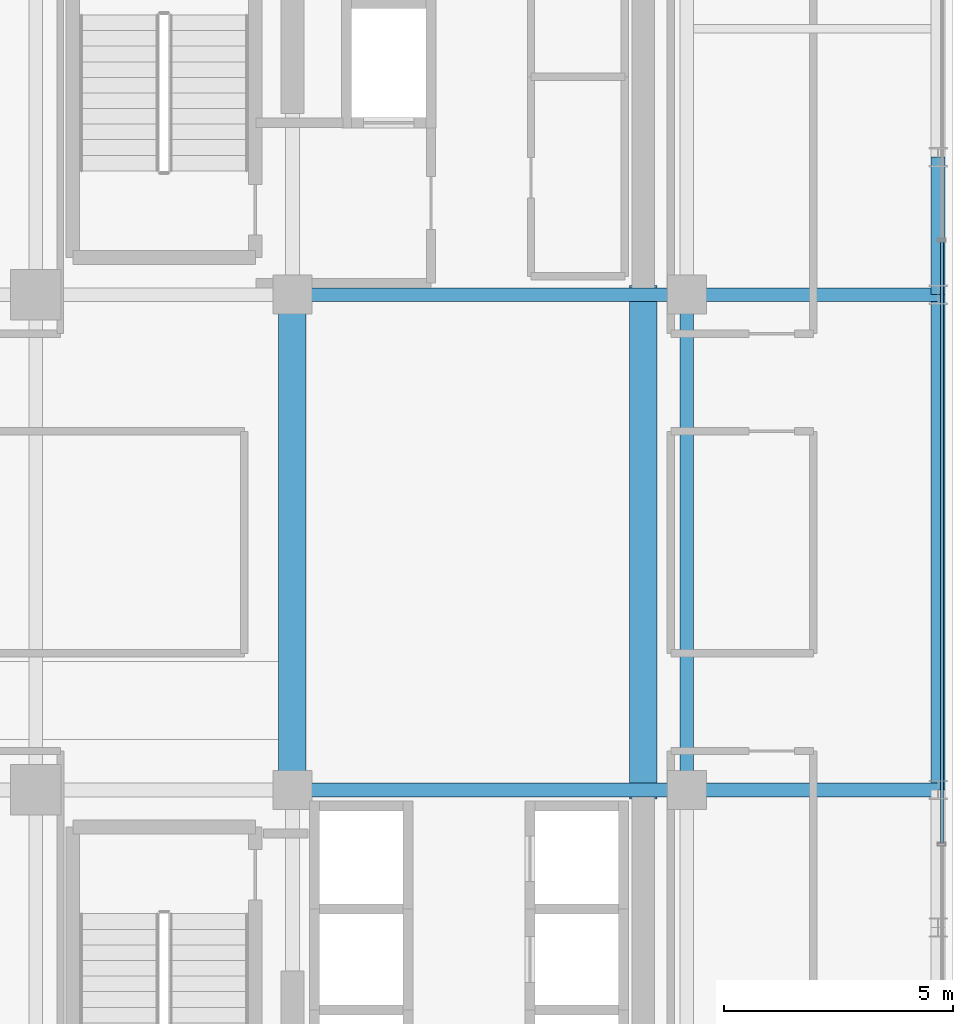
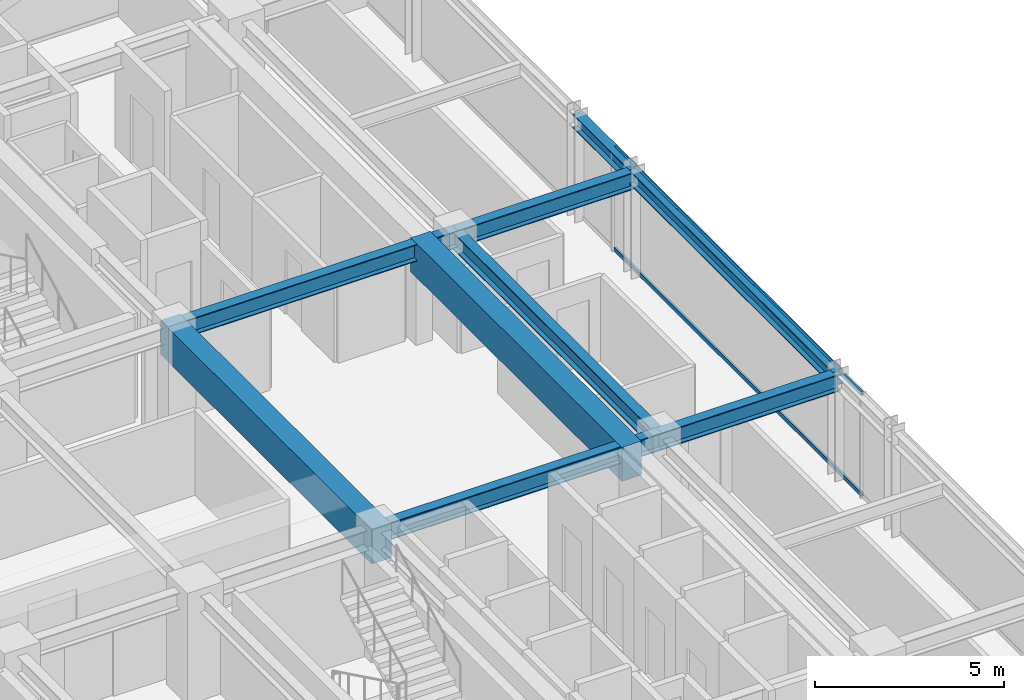
# One storey, part 13 of 32: 9 beams, 2 members, 1 element without a shape of its own.
"""IFC4 building model written with IfcOpenShell, lengths in metres."""

import ifcopenshell
import ifcopenshell.guid

model = None  # the IFC model being written
_history = None  # IfcOwnerHistory: only IFC2X3 demands one
_inside = {}  # id of a spatial element -> (the spatial element, [elements in it])
_under = {}  # id of a project, library or spatial element -> (it, [spatial elements below it])
_declared = {}  # id of a project -> (the project, [libraries it declares])
_typed = {}  # id of a type object -> (the type object, [elements of that type])
_made_of = {}  # id of a material, layer set ... -> (it, [elements and type objects made of it])


def new_model(schema):
    """Start an empty IFC model of exactly this schema.

    Asked for "IFC4X3", IfcOpenShell would pick the latest addendum, in which some entities
    have other attributes; the version numbers below select the first issue.
    IFC2X3 requires an IfcOwnerHistory on every rooted entity: one is made here for all.
    """
    global model, _history
    if schema == "IFC4X3":
        model = ifcopenshell.file(schema_version=(4, 3, 0, 0))
    else:
        model = ifcopenshell.file(schema=schema)
    _inside.clear()
    _under.clear()
    _declared.clear()
    _typed.clear()
    _made_of.clear()
    _history = None
    if model.schema == "IFC2X3":
        org = make("IfcOrganization", Name="unknown")
        user = make(
            "IfcPersonAndOrganization",
            ThePerson=make("IfcPerson", FamilyName="unknown"),
            TheOrganization=org,
        )
        app = make(
            "IfcApplication",
            ApplicationDeveloper=org,
            Version="unknown",
            ApplicationFullName="unknown",
            ApplicationIdentifier="unknown",
        )
        _history = make(
            "IfcOwnerHistory",
            OwningUser=user,
            OwningApplication=app,
            ChangeAction="ADDED",
            CreationDate=0,
        )
    return model


def make(cls, **values):
    """One entity of the class cls with the attributes given. An attribute that is None is left unset."""
    return model.create_entity(
        cls, **{name: value for name, value in values.items() if value is not None}
    )


def rooted(cls, **values):
    """An entity with a GlobalId (a new one), such as an element, a storey or a relation."""
    return make(cls, GlobalId=ifcopenshell.guid.new(), OwnerHistory=_history, **values)


def si_unit(unit_type, name, prefix=None):
    """IfcSIUnit, for example si_unit("LENGTHUNIT", "METRE", prefix="MILLI")."""
    return make("IfcSIUnit", UnitType=unit_type, Prefix=prefix, Name=name)


def assignment(units):
    """IfcUnitAssignment: the units of a project."""
    return None if units is None else make("IfcUnitAssignment", Units=units)


def point(xyz):
    """IfcCartesianPoint."""
    return None if xyz is None else make("IfcCartesianPoint", Coordinates=xyz)


def direction(xyz):
    """IfcDirection."""
    return None if xyz is None else make("IfcDirection", DirectionRatios=xyz)


def frame(location, z_axis=None, x_axis=None):
    """IfcAxis2Placement3D, a coordinate frame: its origin and axes. An axis left out is left unset."""
    return make(
        "IfcAxis2Placement3D",
        Location=point(location),
        Axis=direction(z_axis),
        RefDirection=direction(x_axis),
    )


def frame_2d(location, x_axis=None):
    """IfcAxis2Placement2D, a coordinate frame in the plane: its origin and x axis."""
    return make(
        "IfcAxis2Placement2D", Location=point(location), RefDirection=direction(x_axis)
    )


def origin():
    """The frame at (0, 0, 0) with its axes left unset."""
    return frame((0.0, 0.0, 0.0))


def origin_2d():
    """The frame at (0, 0) in the plane with its x axis left unset."""
    return frame_2d((0.0, 0.0))


def place(relative_to, where):
    """IfcLocalPlacement: puts the frame where relative to a parent placement (None: the world)."""
    return make(
        "IfcLocalPlacement", PlacementRelTo=relative_to, RelativePlacement=where
    )


def context(
    kind, dimensions, precision=None, world=None, true_north=None, identifier=None
):
    """IfcGeometricRepresentationContext, for example the 3D "Model" context."""
    return make(
        "IfcGeometricRepresentationContext",
        ContextIdentifier=identifier,
        ContextType=kind,
        CoordinateSpaceDimension=dimensions,
        Precision=precision,
        WorldCoordinateSystem=world,
        TrueNorth=true_north,
    )


def subcontext(parent, identifier, kind, view, scale=None):
    """IfcGeometricRepresentationSubContext, for example "Body" below "Model"."""
    return make(
        "IfcGeometricRepresentationSubContext",
        ContextIdentifier=identifier,
        ContextType=kind,
        ParentContext=parent,
        TargetScale=scale,
        TargetView=view,
    )


def project(units=None, contexts=None):
    """IfcProject with its units and contexts."""
    return rooted(
        "IfcProject",
        Name="project",
        RepresentationContexts=contexts,
        UnitsInContext=assignment(units),
    )


def spatial(cls, under=None, at=None, **own):
    """A site, building, storey or space (cls), placed at a placement, below another one or the project."""
    s = rooted(cls, ObjectPlacement=at, **own)
    if under is not None:
        _under.setdefault(under.id(), (under, []))[1].append(s)
    return s


def profile(cls, at=None, kind="AREA", **sizes):
    """A parametric profile (cls). Its sizes go by their IFC names, for example OverallWidth=200.0."""
    return make(cls, ProfileType=kind, Position=at, **sizes)


def rectangle(**sizes):
    """IfcRectangleProfileDef."""
    return profile("IfcRectangleProfileDef", **sizes)


def hollow_rectangle(**sizes):
    """IfcRectangleHollowProfileDef."""
    return profile("IfcRectangleHollowProfileDef", **sizes)


def i_section(**sizes):
    """IfcIShapeProfileDef."""
    return profile("IfcIShapeProfileDef", **sizes)


def extrude(swept, where, along, depth):
    """IfcExtrudedAreaSolid: the profile swept, set in the frame where, extruded along a direction by depth."""
    return make(
        "IfcExtrudedAreaSolid",
        SweptArea=swept,
        Position=where,
        ExtrudedDirection=direction(along),
        Depth=depth,
    )


def shape(context_of_items, identifier, shape_type, items):
    """IfcShapeRepresentation: the items that make up one representation, for example the "Body"."""
    return make(
        "IfcShapeRepresentation",
        ContextOfItems=context_of_items,
        RepresentationIdentifier=identifier,
        RepresentationType=shape_type,
        Items=items,
    )


def source(mapping_origin, context_of_items, identifier, shape_type, items):
    """IfcRepresentationMap: a shape defined once, which mapped items show again and again."""
    return make(
        "IfcRepresentationMap",
        MappingOrigin=mapping_origin,
        MappedRepresentation=shape(context_of_items, identifier, shape_type, items),
    )


def transform(
    local_origin,
    x_axis=None,
    y_axis=None,
    z_axis=None,
    scale=None,
    scale2=None,
    scale3=None,
    uniform=True,
):
    """IfcCartesianTransformationOperator3D, or its non-uniform kind. x_axis, y_axis, z_axis: its Axis1, 2, 3."""
    if uniform:
        return make(
            "IfcCartesianTransformationOperator3D",
            Axis1=direction(x_axis),
            Axis2=direction(y_axis),
            LocalOrigin=point(local_origin),
            Scale=scale,
            Axis3=direction(z_axis),
        )
    return make(
        "IfcCartesianTransformationOperator3DnonUniform",
        Axis1=direction(x_axis),
        Axis2=direction(y_axis),
        LocalOrigin=point(local_origin),
        Scale=scale,
        Axis3=direction(z_axis),
        Scale2=scale2,
        Scale3=scale3,
    )


def mapped(mapping_source, mapping_target):
    """IfcMappedItem: shows the shape of a source again, moved by a transform."""
    return make(
        "IfcMappedItem", MappingSource=mapping_source, MappingTarget=mapping_target
    )


def material(Name=None, Category=None):
    """IfcMaterial."""
    return make("IfcMaterial", Name=Name, Category=Category)


def material_profile(
    of_material, cross_section, Name=None, Category=None, Priority=None
):
    """IfcMaterialProfile: a cross section and its material."""
    return make(
        "IfcMaterialProfile",
        Name=Name,
        Material=of_material,
        Profile=cross_section,
        Priority=Priority,
        Category=Category,
    )


def profile_set(profiles, Name=None, composite=None):
    """IfcMaterialProfileSet."""
    return make(
        "IfcMaterialProfileSet",
        Name=Name,
        MaterialProfiles=profiles,
        CompositeProfile=composite,
    )


def made_of(thing, what):
    """Note that an element or type object is made of a material, layer set ...; save() writes the relation."""
    if what is not None:
        _made_of.setdefault(what.id(), (what, []))[1].append(thing)
    return thing


def type_object(cls, material=None, **own):
    """A type object (cls), such as IfcWallType, which elements share."""
    return made_of(rooted(cls, **own), material)


def element(
    cls,
    number,
    at=None,
    inside=None,
    cuts=None,
    type_object=None,
    material=None,
    context=None,
    identifier="Body",
    shape_type=None,
    held_by="IfcProductDefinitionShape",
    body=None,
    shapes=None,
    **own,
):
    """One element of the class cls, such as IfcWall. Its Tag is "e" and its number.

    at: its placement. inside: the storey or other place that contains it. cuts: it is an
    opening in that element (IfcRelVoidsElement). A single representation is given by context,
    identifier, shape_type and body (its items); several are given by shapes. held_by: the class
    of the entity that holds the representations. save() writes the other relations.
    """
    e = rooted(cls, Tag="e%d" % number, ObjectPlacement=at, **own)
    if body is not None:
        shapes = [shape(context, identifier, shape_type, body)]
    if shapes is not None:
        e.Representation = make(held_by, Representations=shapes)
    if inside is not None:
        _inside.setdefault(inside.id(), (inside, []))[1].append(e)
    if cuts is not None:
        rooted(
            "IfcRelVoidsElement", RelatingBuildingElement=cuts, RelatedOpeningElement=e
        )
    if type_object is not None:
        _typed.setdefault(type_object.id(), (type_object, []))[1].append(e)
    return made_of(e, material)


def aggregate(whole, parts):
    """IfcRelAggregates: a whole, such as a stair, and the parts it consists of."""
    return rooted("IfcRelAggregates", RelatingObject=whole, RelatedObjects=parts)


def save(model, path):
    """Write the relations noted so far, then the file.

    IfcRelAggregates (storeys below a building ...), IfcRelContainedInSpatialStructure (elements
    in a storey), IfcRelDefinesByType, IfcRelAssociatesMaterial and IfcRelDeclares: one each for
    every whole, place, type object, material and project.
    """
    for whole, parts in _under.values():
        aggregate(whole, parts)
    for where, things in _inside.values():
        rooted(
            "IfcRelContainedInSpatialStructure",
            RelatedElements=things,
            RelatingStructure=where,
        )
    for kind, things in _typed.values():
        rooted("IfcRelDefinesByType", RelatedObjects=things, RelatingType=kind)
    for what, things in _made_of.values():
        rooted("IfcRelAssociatesMaterial", RelatedObjects=things, RelatingMaterial=what)
    for by, libraries in _declared.values():
        rooted("IfcRelDeclares", RelatingContext=by, RelatedDefinitions=libraries)
    model.write(path)


model = new_model("IFC4")

# Units and contexts
model_context = context("Model", 3, precision=1e-05, world=origin(), true_north=direction((0.0, 1.0)))
body_context = subcontext(model_context, "Body", "Model", "MODEL_VIEW")
ifc_project = project(units=[si_unit("LENGTHUNIT", "METRE"), si_unit("AREAUNIT", "SQUARE_METRE"), si_unit("VOLUMEUNIT", "CUBIC_METRE"), si_unit("PLANEANGLEUNIT", "RADIAN"), si_unit("MASSUNIT", "GRAM", prefix="KILO")], contexts=[model_context])

# Site, building, storey
site_placement = place(None, origin())
site = spatial("IfcSite", under=ifc_project, at=site_placement, CompositionType="ELEMENT")
building_placement = place(site_placement, origin())
building = spatial("IfcBuilding", under=site, at=building_placement, Name="Nahalor Promenade Grand Hotel", CompositionType="ELEMENT")
storey_placement = place(building_placement, frame((0.0, 0.0, 152.64990234375)))
storey = spatial("IfcBuildingStorey", under=building, at=storey_placement, Name="L38", CompositionType="ELEMENT", Elevation=152.64990234375)

# Beams
ifc_material_1 = material(Name="Concrete B-60 (C50/60)", Category="concrete")
ifc_material_profile_1 = material_profile(ifc_material_1, rectangle(XDim=0.6, YDim=1.1, at=origin_2d()), Name="RC 600x1100")
ifc_profile_set_1 = profile_set([ifc_material_profile_1], Name="Concrete B-60 (C50/60)")
beam_type_1 = type_object("IfcBeamType", Name="Beam-Lintel-RC1100", PredefinedType="LINTEL", material=ifc_profile_set_1)
shared_shape_1 = source(origin(), body_context, "Body", "SweptSolid", [
    extrude(rectangle(XDim=0.6, YDim=1.1, at=origin_2d()), origin(), (0.0, 0.0, 1.0), 11.2001953125),
])
for number, where, z_axis, x_axis, name in (
    (1, (8.39990234375, -5.60009765625, 2.840087890625), (0.0, 1.0, 0.0), (-1.0, 0.0, 0.0), "BM-L38-LINT-W"),
    (2, (16.050048828125, -5.60009765625, 2.840087890625), (0.0, 1.0, 0.0), (-1.0, 0.0, 0.0), "BM-L38-LINT-E"),
):
    element("IfcBeam", number, at=place(storey_placement, frame(where, z_axis=z_axis, x_axis=x_axis)), inside=storey, type_object=beam_type_1, Name=name, PredefinedType="LINTEL", context=body_context, shape_type="MappedRepresentation", body=[
        mapped(shared_shape_1, transform((0.0, 0.0, 0.0), scale=1.0)),
    ])
ifc_material_2 = material(Name="Steel S355JR", Category="steel")
ifc_material_profile_2 = material_profile(ifc_material_2, i_section(OverallWidth=0.3, OverallDepth=0.55, WebThickness=0.015, FlangeThickness=0.029, at=origin_2d()), Name="HEB 550")
ifc_profile_set_2 = profile_set([ifc_material_profile_2], Name="Steel S355JR")
beam_type_2 = type_object("IfcBeamType", Name="Beam-Girder-HEB550", PredefinedType="BEAM", material=ifc_profile_set_2)
shared_shape_2 = source(origin(), body_context, "Body", "SweptSolid", [
    extrude(i_section(OverallWidth=0.3, OverallDepth=0.55, WebThickness=0.015, FlangeThickness=0.029, at=origin_2d()), origin(), (0.0, 0.0, 1.0), 8.60009765625),
])
for number, where, z_axis, x_axis, name in (
    (3, (8.39990234375, -5.39990234375, 3.114990234375), (1.0, 0.0, 0.0), (0.0, 1.0, 0.0), "BM-L38-GX-1-5"),
    (4, (8.39990234375, 5.39990234375, 3.114990234375), (1.0, 0.0, 0.0), (0.0, 1.0, 0.0), "BM-L38-GX-2-5"),
):
    element("IfcBeam", number, at=place(storey_placement, frame(where, z_axis=z_axis, x_axis=x_axis)), inside=storey, type_object=beam_type_2, Name=name, PredefinedType="BEAM", context=body_context, shape_type="MappedRepresentation", body=[
        mapped(shared_shape_2, transform((0.0, 0.0, 0.0), scale=1.0)),
    ])
shared_shape_3 = source(origin(), body_context, "Body", "SweptSolid", [
    extrude(i_section(OverallWidth=0.3, OverallDepth=0.55, WebThickness=0.015, FlangeThickness=0.029, at=origin_2d()), origin(), (0.0, 0.0, 1.0), 10.7998046875),
])
beam_1_placement = place(storey_placement, frame((17.0, -5.39990234375, 3.114990234375), z_axis=(0.0, 1.0, 0.0), x_axis=(-1.0, 0.0, 0.0)))
element("IfcBeam", 5, at=beam_1_placement, inside=storey, type_object=beam_type_2, Name="BM-L38-GY-5-2", PredefinedType="BEAM", context=body_context, shape_type="MappedRepresentation", body=[
    mapped(shared_shape_3, transform((0.0, 0.0, 0.0), scale=1.0)),
])
shared_shape_4 = source(origin(), body_context, "Body", "SweptSolid", [
    extrude(i_section(OverallWidth=0.3, OverallDepth=0.55, WebThickness=0.015, FlangeThickness=0.029, at=origin_2d()), origin(), (0.0, 0.0, 1.0), 5.47998046875),
])
for number, where, z_axis, x_axis, name in (
    (6, (17.0, -5.39990234375, 3.114990234375), (1.0, 0.0, 0.0), (0.0, 1.0, 0.0), "BM-L38-GX-1-6"),
    (7, (17.0, 5.39990234375, 3.114990234375), (1.0, 0.0, 0.0), (0.0, 1.0, 0.0), "BM-L38-GX-2-6"),
):
    element("IfcBeam", number, at=place(storey_placement, frame(where, z_axis=z_axis, x_axis=x_axis)), inside=storey, type_object=beam_type_2, Name=name, PredefinedType="BEAM", context=body_context, shape_type="MappedRepresentation", body=[
        mapped(shared_shape_4, transform((0.0, 0.0, 0.0), scale=1.0)),
    ])
ifc_material_profile_3 = material_profile(ifc_material_2, i_section(OverallWidth=0.3, OverallDepth=0.45, WebThickness=0.014, FlangeThickness=0.026, at=origin_2d()), Name="HEB 450")
ifc_profile_set_3 = profile_set([ifc_material_profile_3], Name="Steel S355JR")
beam_type_3 = type_object("IfcBeamType", Name="Beam-Spandrel-HEB450", PredefinedType="SPANDREL", material=ifc_profile_set_3)
shared_shape_5 = source(origin(), body_context, "Body", "SweptSolid", [
    extrude(i_section(OverallWidth=0.3, OverallDepth=0.45, WebThickness=0.014, FlangeThickness=0.026, at=origin_2d()), origin(), (0.0, 0.0, 1.0), 3.0),
])
beam_2_placement = place(storey_placement, frame((22.47998046875, 5.39990234375, 3.1650390625), z_axis=(0.0, 1.0, 0.0), x_axis=(-1.0, 0.0, 0.0)))
element("IfcBeam", 8, at=beam_2_placement, inside=storey, type_object=beam_type_3, Name="BM-L38-SP-E-3", PredefinedType="SPANDREL", context=body_context, shape_type="MappedRepresentation", body=[
    mapped(shared_shape_5, transform((0.0, 0.0, 0.0), scale=1.0)),
])
shared_shape_6 = source(origin(), body_context, "Body", "SweptSolid", [
    extrude(i_section(OverallWidth=0.3, OverallDepth=0.45, WebThickness=0.014, FlangeThickness=0.026, at=origin_2d()), origin(), (0.0, 0.0, 1.0), 10.7998046875),
])
beam_3_placement = place(storey_placement, frame((22.47998046875, -5.39990234375, 3.1650390625), z_axis=(0.0, 1.0, 0.0), x_axis=(-1.0, 0.0, 0.0)))
element("IfcBeam", 9, at=beam_3_placement, inside=storey, type_object=beam_type_3, Name="BM-L38-SP-E-2", PredefinedType="SPANDREL", context=body_context, shape_type="MappedRepresentation", body=[
    mapped(shared_shape_6, transform((0.0, 0.0, 0.0), scale=1.0)),
])

# Curtain wall, members
ifc_material_3 = material(Name="Anodised Bronze Aluminium EN AW-6063 T6", Category="aluminium")
curtain_wall_type = type_object("IfcCurtainWallType", Name="CW2 Typical Hotel Flush Bronze Unitised Curtain Wall", PredefinedType="USERDEFINED", material=ifc_material_3)
curtain_wall_placement = place(storey_placement, origin())
curtain_wall = element("IfcCurtainWall", 10, at=curtain_wall_placement, inside=storey, type_object=curtain_wall_type, Name="L38 Curtain Wall CW-L38-E-1", ObjectType="UNITISED_CURTAIN_WALL", PredefinedType="USERDEFINED")
ifc_material_profile_4 = material_profile(ifc_material_3, hollow_rectangle(XDim=0.065, YDim=0.13, WallThickness=0.004, at=origin_2d()), Name="CWT 65x130x4")
ifc_profile_set_4 = profile_set([ifc_material_profile_4], Name="Anodised Bronze Aluminium EN AW-6063 T6")
member_type = type_object("IfcMemberType", Name="CWT2 Typical Bronze Transom 65x130", PredefinedType="USERDEFINED", material=ifc_profile_set_4)
shared_shape_7 = source(origin(), body_context, "Body", "SweptSolid", [
    extrude(hollow_rectangle(XDim=0.065, YDim=0.13, WallThickness=0.004, at=origin_2d()), origin(), (0.0, 0.0, 1.0), 13.1083984375),
])
member_1_placement = place(storey_placement, frame((22.56005859375, -6.55419921875, 0.065185546875), z_axis=(0.0, 1.0, 0.0), x_axis=(-1.0, 0.0, 0.0)))
member_1 = element("IfcMember", 11, at=member_1_placement, type_object=member_type, Name="CW-L38-E-1 Transom 1-0", ObjectType="TRANSOM", PredefinedType="USERDEFINED", context=body_context, shape_type="MappedRepresentation", body=[
    mapped(shared_shape_7, transform((0.0, 0.0, 0.0), scale=1.0)),
])
member_2_placement = place(storey_placement, frame((22.56005859375, -6.55419921875, 3.3251953125), z_axis=(0.0, 1.0, 0.0), x_axis=(-1.0, 0.0, 0.0)))
member_2 = element("IfcMember", 12, at=member_2_placement, type_object=member_type, Name="CW-L38-E-1 Transom 1-1", ObjectType="TRANSOM", PredefinedType="USERDEFINED", context=body_context, shape_type="MappedRepresentation", body=[
    mapped(shared_shape_7, transform((0.0, 0.0, 0.0), scale=1.0)),
])
aggregate(curtain_wall, [member_1, member_2])

save(model, "model.ifc")
